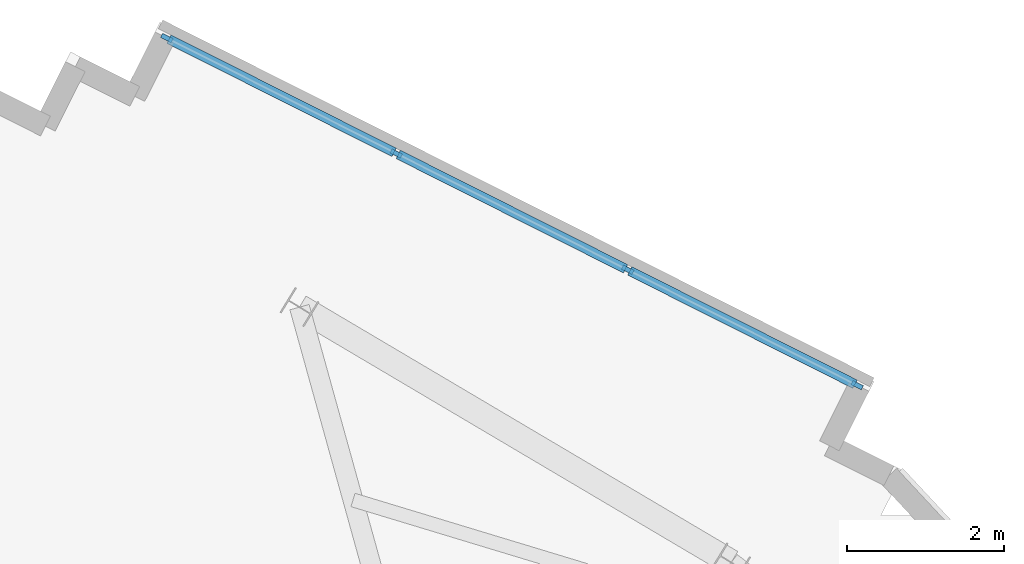
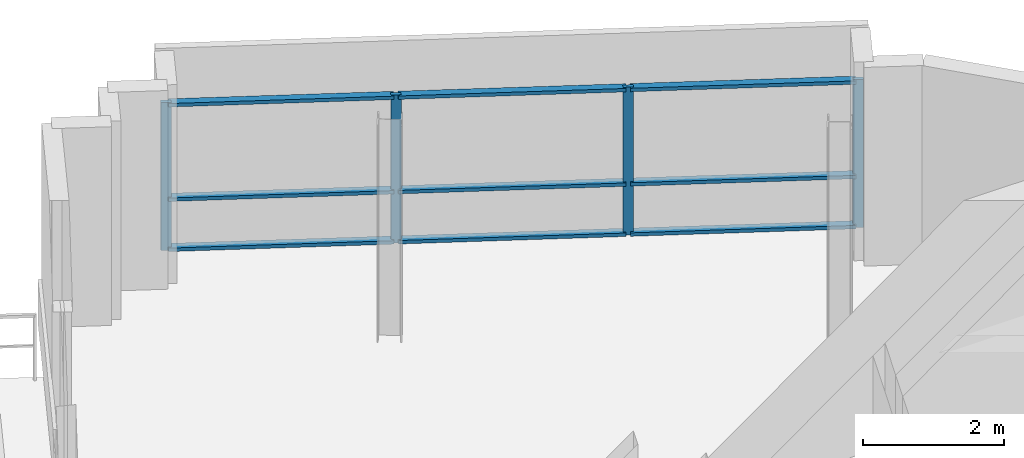
# One storey, part 4 of 11: 13 members, 1 element without a shape of its own.
"""IFC4 building model written with IfcOpenShell, lengths in metres."""

import ifcopenshell
import ifcopenshell.guid

model = None  # the IFC model being written
_history = None  # IfcOwnerHistory: only IFC2X3 demands one
_inside = {}  # id of a spatial element -> (the spatial element, [elements in it])
_under = {}  # id of a project, library or spatial element -> (it, [spatial elements below it])
_declared = {}  # id of a project -> (the project, [libraries it declares])
_typed = {}  # id of a type object -> (the type object, [elements of that type])
_made_of = {}  # id of a material, layer set ... -> (it, [elements and type objects made of it])


def new_model(schema):
    """Start an empty IFC model of exactly this schema.

    Asked for "IFC4X3", IfcOpenShell would pick the latest addendum, in which some entities
    have other attributes; the version numbers below select the first issue.
    IFC2X3 requires an IfcOwnerHistory on every rooted entity: one is made here for all.
    """
    global model, _history
    if schema == "IFC4X3":
        model = ifcopenshell.file(schema_version=(4, 3, 0, 0))
    else:
        model = ifcopenshell.file(schema=schema)
    _inside.clear()
    _under.clear()
    _declared.clear()
    _typed.clear()
    _made_of.clear()
    _history = None
    if model.schema == "IFC2X3":
        org = make("IfcOrganization", Name="unknown")
        user = make(
            "IfcPersonAndOrganization",
            ThePerson=make("IfcPerson", FamilyName="unknown"),
            TheOrganization=org,
        )
        app = make(
            "IfcApplication",
            ApplicationDeveloper=org,
            Version="unknown",
            ApplicationFullName="unknown",
            ApplicationIdentifier="unknown",
        )
        _history = make(
            "IfcOwnerHistory",
            OwningUser=user,
            OwningApplication=app,
            ChangeAction="ADDED",
            CreationDate=0,
        )
    return model


def make(cls, **values):
    """One entity of the class cls with the attributes given. An attribute that is None is left unset."""
    return model.create_entity(
        cls, **{name: value for name, value in values.items() if value is not None}
    )


def rooted(cls, **values):
    """An entity with a GlobalId (a new one), such as an element, a storey or a relation."""
    return make(cls, GlobalId=ifcopenshell.guid.new(), OwnerHistory=_history, **values)


def si_unit(unit_type, name, prefix=None):
    """IfcSIUnit, for example si_unit("LENGTHUNIT", "METRE", prefix="MILLI")."""
    return make("IfcSIUnit", UnitType=unit_type, Prefix=prefix, Name=name)


def assignment(units):
    """IfcUnitAssignment: the units of a project."""
    return None if units is None else make("IfcUnitAssignment", Units=units)


def point(xyz):
    """IfcCartesianPoint."""
    return None if xyz is None else make("IfcCartesianPoint", Coordinates=xyz)


def direction(xyz):
    """IfcDirection."""
    return None if xyz is None else make("IfcDirection", DirectionRatios=xyz)


def frame(location, z_axis=None, x_axis=None):
    """IfcAxis2Placement3D, a coordinate frame: its origin and axes. An axis left out is left unset."""
    return make(
        "IfcAxis2Placement3D",
        Location=point(location),
        Axis=direction(z_axis),
        RefDirection=direction(x_axis),
    )


def frame_2d(location, x_axis=None):
    """IfcAxis2Placement2D, a coordinate frame in the plane: its origin and x axis."""
    return make(
        "IfcAxis2Placement2D", Location=point(location), RefDirection=direction(x_axis)
    )


def origin():
    """The frame at (0, 0, 0) with its axes left unset."""
    return frame((0.0, 0.0, 0.0))


def origin_2d():
    """The frame at (0, 0) in the plane with its x axis left unset."""
    return frame_2d((0.0, 0.0))


def place(relative_to, where):
    """IfcLocalPlacement: puts the frame where relative to a parent placement (None: the world)."""
    return make(
        "IfcLocalPlacement", PlacementRelTo=relative_to, RelativePlacement=where
    )


def context(
    kind, dimensions, precision=None, world=None, true_north=None, identifier=None
):
    """IfcGeometricRepresentationContext, for example the 3D "Model" context."""
    return make(
        "IfcGeometricRepresentationContext",
        ContextIdentifier=identifier,
        ContextType=kind,
        CoordinateSpaceDimension=dimensions,
        Precision=precision,
        WorldCoordinateSystem=world,
        TrueNorth=true_north,
    )


def subcontext(parent, identifier, kind, view, scale=None):
    """IfcGeometricRepresentationSubContext, for example "Body" below "Model"."""
    return make(
        "IfcGeometricRepresentationSubContext",
        ContextIdentifier=identifier,
        ContextType=kind,
        ParentContext=parent,
        TargetScale=scale,
        TargetView=view,
    )


def project(units=None, contexts=None):
    """IfcProject with its units and contexts."""
    return rooted(
        "IfcProject",
        Name="project",
        RepresentationContexts=contexts,
        UnitsInContext=assignment(units),
    )


def spatial(cls, under=None, at=None, **own):
    """A site, building, storey or space (cls), placed at a placement, below another one or the project."""
    s = rooted(cls, ObjectPlacement=at, **own)
    if under is not None:
        _under.setdefault(under.id(), (under, []))[1].append(s)
    return s


def profile(cls, at=None, kind="AREA", **sizes):
    """A parametric profile (cls). Its sizes go by their IFC names, for example OverallWidth=200.0."""
    return make(cls, ProfileType=kind, Position=at, **sizes)


def rectangle(**sizes):
    """IfcRectangleProfileDef."""
    return profile("IfcRectangleProfileDef", **sizes)


def extrude(swept, where, along, depth):
    """IfcExtrudedAreaSolid: the profile swept, set in the frame where, extruded along a direction by depth."""
    return make(
        "IfcExtrudedAreaSolid",
        SweptArea=swept,
        Position=where,
        ExtrudedDirection=direction(along),
        Depth=depth,
    )


def shape(context_of_items, identifier, shape_type, items):
    """IfcShapeRepresentation: the items that make up one representation, for example the "Body"."""
    return make(
        "IfcShapeRepresentation",
        ContextOfItems=context_of_items,
        RepresentationIdentifier=identifier,
        RepresentationType=shape_type,
        Items=items,
    )


def source(mapping_origin, context_of_items, identifier, shape_type, items):
    """IfcRepresentationMap: a shape defined once, which mapped items show again and again."""
    return make(
        "IfcRepresentationMap",
        MappingOrigin=mapping_origin,
        MappedRepresentation=shape(context_of_items, identifier, shape_type, items),
    )


def transform(
    local_origin,
    x_axis=None,
    y_axis=None,
    z_axis=None,
    scale=None,
    scale2=None,
    scale3=None,
    uniform=True,
):
    """IfcCartesianTransformationOperator3D, or its non-uniform kind. x_axis, y_axis, z_axis: its Axis1, 2, 3."""
    if uniform:
        return make(
            "IfcCartesianTransformationOperator3D",
            Axis1=direction(x_axis),
            Axis2=direction(y_axis),
            LocalOrigin=point(local_origin),
            Scale=scale,
            Axis3=direction(z_axis),
        )
    return make(
        "IfcCartesianTransformationOperator3DnonUniform",
        Axis1=direction(x_axis),
        Axis2=direction(y_axis),
        LocalOrigin=point(local_origin),
        Scale=scale,
        Axis3=direction(z_axis),
        Scale2=scale2,
        Scale3=scale3,
    )


def mapped(mapping_source, mapping_target):
    """IfcMappedItem: shows the shape of a source again, moved by a transform."""
    return make(
        "IfcMappedItem", MappingSource=mapping_source, MappingTarget=mapping_target
    )


def material(Name=None, Category=None):
    """IfcMaterial."""
    return make("IfcMaterial", Name=Name, Category=Category)


def layer(
    of_material, thickness, ventilated=None, Name=None, Category=None, Priority=None
):
    """IfcMaterialLayer: one layer of a wall or slab, of a material (None: an air gap)."""
    return make(
        "IfcMaterialLayer",
        Material=of_material,
        LayerThickness=thickness,
        IsVentilated=ventilated,
        Name=Name,
        Category=Category,
        Priority=Priority,
    )


def layer_set(layers, Name=None):
    """IfcMaterialLayerSet."""
    return make("IfcMaterialLayerSet", MaterialLayers=layers, LayerSetName=Name)


def material_profile(
    of_material, cross_section, Name=None, Category=None, Priority=None
):
    """IfcMaterialProfile: a cross section and its material."""
    return make(
        "IfcMaterialProfile",
        Name=Name,
        Material=of_material,
        Profile=cross_section,
        Priority=Priority,
        Category=Category,
    )


def profile_set(profiles, Name=None, composite=None):
    """IfcMaterialProfileSet."""
    return make(
        "IfcMaterialProfileSet",
        Name=Name,
        MaterialProfiles=profiles,
        CompositeProfile=composite,
    )


def made_of(thing, what):
    """Note that an element or type object is made of a material, layer set ...; save() writes the relation."""
    if what is not None:
        _made_of.setdefault(what.id(), (what, []))[1].append(thing)
    return thing


def type_object(cls, material=None, **own):
    """A type object (cls), such as IfcWallType, which elements share."""
    return made_of(rooted(cls, **own), material)


def element(
    cls,
    number,
    at=None,
    inside=None,
    cuts=None,
    type_object=None,
    material=None,
    context=None,
    identifier="Body",
    shape_type=None,
    held_by="IfcProductDefinitionShape",
    body=None,
    shapes=None,
    **own,
):
    """One element of the class cls, such as IfcWall. Its Tag is "e" and its number.

    at: its placement. inside: the storey or other place that contains it. cuts: it is an
    opening in that element (IfcRelVoidsElement). A single representation is given by context,
    identifier, shape_type and body (its items); several are given by shapes. held_by: the class
    of the entity that holds the representations. save() writes the other relations.
    """
    e = rooted(cls, Tag="e%d" % number, ObjectPlacement=at, **own)
    if body is not None:
        shapes = [shape(context, identifier, shape_type, body)]
    if shapes is not None:
        e.Representation = make(held_by, Representations=shapes)
    if inside is not None:
        _inside.setdefault(inside.id(), (inside, []))[1].append(e)
    if cuts is not None:
        rooted(
            "IfcRelVoidsElement", RelatingBuildingElement=cuts, RelatedOpeningElement=e
        )
    if type_object is not None:
        _typed.setdefault(type_object.id(), (type_object, []))[1].append(e)
    return made_of(e, material)


def aggregate(whole, parts):
    """IfcRelAggregates: a whole, such as a stair, and the parts it consists of."""
    return rooted("IfcRelAggregates", RelatingObject=whole, RelatedObjects=parts)


def save(model, path):
    """Write the relations noted so far, then the file.

    IfcRelAggregates (storeys below a building ...), IfcRelContainedInSpatialStructure (elements
    in a storey), IfcRelDefinesByType, IfcRelAssociatesMaterial and IfcRelDeclares: one each for
    every whole, place, type object, material and project.
    """
    for whole, parts in _under.values():
        aggregate(whole, parts)
    for where, things in _inside.values():
        rooted(
            "IfcRelContainedInSpatialStructure",
            RelatedElements=things,
            RelatingStructure=where,
        )
    for kind, things in _typed.values():
        rooted("IfcRelDefinesByType", RelatedObjects=things, RelatingType=kind)
    for what, things in _made_of.values():
        rooted("IfcRelAssociatesMaterial", RelatedObjects=things, RelatingMaterial=what)
    for by, libraries in _declared.values():
        rooted("IfcRelDeclares", RelatingContext=by, RelatedDefinitions=libraries)
    model.write(path)


model = new_model("IFC4")

# Units and contexts
model_context = context("Model", 3, precision=1e-05, world=origin(), true_north=direction((0.0, 1.0)))
body_context = subcontext(model_context, "Body", "Model", "MODEL_VIEW")
ifc_project = project(units=[si_unit("LENGTHUNIT", "METRE"), si_unit("AREAUNIT", "SQUARE_METRE"), si_unit("VOLUMEUNIT", "CUBIC_METRE"), si_unit("PLANEANGLEUNIT", "RADIAN"), si_unit("MASSUNIT", "GRAM", prefix="KILO")], contexts=[model_context])

# Site, building, storey
site_placement = place(None, origin())
site = spatial("IfcSite", under=ifc_project, at=site_placement, CompositionType="ELEMENT")
building_placement = place(site_placement, origin())
building = spatial("IfcBuilding", under=site, at=building_placement, Name="Zahravan Cultural Tower", CompositionType="ELEMENT")
storey_placement = place(building_placement, frame((0.0, 0.0, 357.300048828125)))
storey = spatial("IfcBuildingStorey", under=building, at=storey_placement, Name="L87", CompositionType="ELEMENT", Elevation=357.300048828125)

# Curtain wall, members
ifc_material = material(Name="Anodised bronze-aluminium mullion", Category="aluminium")
ifc_layer = layer(ifc_material, 0.14990234375)
ifc_layer_set = layer_set([ifc_layer], Name="Anodised bronze-aluminium mullion")
curtain_wall_type = type_object("IfcCurtainWallType", Name="CW-SYS-6", PredefinedType="USERDEFINED", material=ifc_layer_set)
curtain_wall_placement = place(storey_placement, origin())
curtain_wall = element("IfcCurtainWall", 1, at=curtain_wall_placement, inside=storey, type_object=curtain_wall_type, Name="L87 Recessed Curtain Wall CW-6.1", ObjectType="OBSERVATORY LANTERN", PredefinedType="USERDEFINED")
ifc_material_profile_1 = material_profile(ifc_material, rectangle(XDim=0.1201171875, YDim=0.06005859375, at=origin_2d()), Name="AL-T60X120")
ifc_profile_set_1 = profile_set([ifc_material_profile_1], Name="Anodised bronze-aluminium mullion")
member_type_1 = type_object("IfcMemberType", Name="CWT-CW-6", PredefinedType="USERDEFINED", material=ifc_profile_set_1)
shared_shape_1 = source(origin(), body_context, "Body", "SweptSolid", [
    extrude(rectangle(XDim=0.1201171875, YDim=0.06005859375, at=origin_2d()), origin(), (0.0, 0.0, 1.0), 3.216796875),
])
member_1_placement = place(storey_placement, frame((39.80908203125, 45.478759765625, 0.030029296875), z_axis=(0.893377366752, -0.449307111645, 0.0), x_axis=(0.449307111645, 0.893377366752, 0.0)))
member_1 = element("IfcMember", 2, at=member_1_placement, type_object=member_type_1, Name="CW-6 transom 1.1", ObjectType="TRANSOM", PredefinedType="USERDEFINED", context=body_context, shape_type="MappedRepresentation", body=[
    mapped(shared_shape_1, transform((0.0, 0.0, 0.0), x_axis=(1.0, 0.0, 0.0), y_axis=(0.0, 1.0, 0.0), z_axis=(0.0, 0.0, 1.0), scale=1.0)),
])
member_2_placement = place(storey_placement, frame((39.80908203125, 45.478759765625, 0.89990234375), z_axis=(0.893377366752, -0.449307111645, 0.0), x_axis=(0.449307111645, 0.893377366752, 0.0)))
member_2 = element("IfcMember", 3, at=member_2_placement, type_object=member_type_1, Name="CW-6 transom 1.2", ObjectType="TRANSOM", PredefinedType="USERDEFINED", context=body_context, shape_type="MappedRepresentation", body=[
    mapped(shared_shape_1, transform((0.0, 0.0, 0.0), x_axis=(1.0, 0.0, 0.0), y_axis=(0.0, 1.0, 0.0), z_axis=(0.0, 0.0, 1.0), scale=1.0)),
])
member_3_placement = place(storey_placement, frame((39.80908203125, 45.478759765625, 2.5400390625), z_axis=(0.893377366752, -0.449307111645, 0.0), x_axis=(0.449307111645, 0.893377366752, 0.0)))
member_3 = element("IfcMember", 4, at=member_3_placement, type_object=member_type_1, Name="CW-6 transom 1.3", ObjectType="TRANSOM", PredefinedType="USERDEFINED", context=body_context, shape_type="MappedRepresentation", body=[
    mapped(shared_shape_1, transform((0.0, 0.0, 0.0), x_axis=(1.0, 0.0, 0.0), y_axis=(0.0, 1.0, 0.0), z_axis=(0.0, 0.0, 1.0), scale=1.0)),
])
member_4_placement = place(storey_placement, frame((45.6904296875, 42.520751953125, 0.030029296875), z_axis=(0.893377366752, -0.449307111645, 0.0), x_axis=(0.449307111645, 0.893377366752, 0.0)))
member_4 = element("IfcMember", 5, at=member_4_placement, type_object=member_type_1, Name="CW-6 transom 3.1", ObjectType="TRANSOM", PredefinedType="USERDEFINED", context=body_context, shape_type="MappedRepresentation", body=[
    mapped(shared_shape_1, transform((0.0, 0.0, 0.0), x_axis=(1.0, 0.0, 0.0), y_axis=(0.0, 1.0, 0.0), z_axis=(0.0, 0.0, 1.0), scale=1.0)),
])
member_5_placement = place(storey_placement, frame((45.6904296875, 42.520751953125, 0.89990234375), z_axis=(0.893377366752, -0.449307111645, 0.0), x_axis=(0.449307111645, 0.893377366752, 0.0)))
member_5 = element("IfcMember", 6, at=member_5_placement, type_object=member_type_1, Name="CW-6 transom 3.2", ObjectType="TRANSOM", PredefinedType="USERDEFINED", context=body_context, shape_type="MappedRepresentation", body=[
    mapped(shared_shape_1, transform((0.0, 0.0, 0.0), x_axis=(1.0, 0.0, 0.0), y_axis=(0.0, 1.0, 0.0), z_axis=(0.0, 0.0, 1.0), scale=1.0)),
])
member_6_placement = place(storey_placement, frame((45.6904296875, 42.520751953125, 2.5400390625), z_axis=(0.893377366752, -0.449307111645, 0.0), x_axis=(0.449307111645, 0.893377366752, 0.0)))
member_6 = element("IfcMember", 7, at=member_6_placement, type_object=member_type_1, Name="CW-6 transom 3.3", ObjectType="TRANSOM", PredefinedType="USERDEFINED", context=body_context, shape_type="MappedRepresentation", body=[
    mapped(shared_shape_1, transform((0.0, 0.0, 0.0), x_axis=(1.0, 0.0, 0.0), y_axis=(0.0, 1.0, 0.0), z_axis=(0.0, 0.0, 1.0), scale=1.0)),
])
shared_shape_2 = source(origin(), body_context, "Body", "SweptSolid", [
    extrude(rectangle(XDim=0.1201171875, YDim=0.06005859375, at=origin_2d()), origin(), (0.0, 0.0, 1.0), 3.24658203125),
])
member_7_placement = place(storey_placement, frame((42.736328125, 44.006591796875, 0.030029296875), z_axis=(0.8933719174, -0.449317946672, 0.0), x_axis=(0.449317946672, 0.8933719174, 0.0)))
member_7 = element("IfcMember", 8, at=member_7_placement, type_object=member_type_1, Name="CW-6 transom 2.1", ObjectType="TRANSOM", PredefinedType="USERDEFINED", context=body_context, shape_type="MappedRepresentation", body=[
    mapped(shared_shape_2, transform((0.0, 0.0, 0.0), x_axis=(1.0, 0.0, 0.0), y_axis=(0.0, 1.0, 0.0), z_axis=(0.0, 0.0, 1.0), scale=1.0)),
])
member_8_placement = place(storey_placement, frame((42.736328125, 44.006591796875, 0.89990234375), z_axis=(0.8933719174, -0.449317946672, 0.0), x_axis=(0.449317946672, 0.8933719174, 0.0)))
member_8 = element("IfcMember", 9, at=member_8_placement, type_object=member_type_1, Name="CW-6 transom 2.2", ObjectType="TRANSOM", PredefinedType="USERDEFINED", context=body_context, shape_type="MappedRepresentation", body=[
    mapped(shared_shape_2, transform((0.0, 0.0, 0.0), x_axis=(1.0, 0.0, 0.0), y_axis=(0.0, 1.0, 0.0), z_axis=(0.0, 0.0, 1.0), scale=1.0)),
])
member_9_placement = place(storey_placement, frame((42.736328125, 44.006591796875, 2.5400390625), z_axis=(0.8933719174, -0.449317946672, 0.0), x_axis=(0.449317946672, 0.8933719174, 0.0)))
member_9 = element("IfcMember", 10, at=member_9_placement, type_object=member_type_1, Name="CW-6 transom 2.3", ObjectType="TRANSOM", PredefinedType="USERDEFINED", context=body_context, shape_type="MappedRepresentation", body=[
    mapped(shared_shape_2, transform((0.0, 0.0, 0.0), x_axis=(1.0, 0.0, 0.0), y_axis=(0.0, 1.0, 0.0), z_axis=(0.0, 0.0, 1.0), scale=1.0)),
])
ifc_material_profile_2 = material_profile(ifc_material, rectangle(XDim=0.06005859375, YDim=0.14990234375, at=origin_2d()), Name="AL-M60X150")
ifc_profile_set_2 = profile_set([ifc_material_profile_2], Name="Anodised bronze-aluminium mullion")
member_type_2 = type_object("IfcMemberType", Name="CWM-CW-6", PredefinedType="MULLION", material=ifc_profile_set_2)
shared_shape_3 = source(origin(), body_context, "Body", "SweptSolid", [
    extrude(rectangle(XDim=0.06005859375, YDim=0.14990234375, at=origin_2d()), origin(), (0.0, 0.0, 1.0), 2.570068359375),
])
member_10_placement = place(storey_placement, frame((39.7822265625, 45.492431640625, 0.0), z_axis=(0.0, 0.0, 1.0), x_axis=(0.449317208482, 0.893372288669, 0.0)))
member_10 = element("IfcMember", 11, at=member_10_placement, type_object=member_type_2, Name="CW-6 mullion 1", PredefinedType="MULLION", context=body_context, shape_type="MappedRepresentation", body=[
    mapped(shared_shape_3, transform((0.0, 0.0, 0.0), x_axis=(1.0, 0.0, 0.0), y_axis=(0.0, 1.0, 0.0), z_axis=(0.0, 0.0, 1.0), scale=1.0)),
])
member_11_placement = place(storey_placement, frame((42.70947265625, 44.02001953125, 0.0), z_axis=(0.0, 0.0, 1.0), x_axis=(0.449317208482, 0.893372288669, 0.0)))
member_11 = element("IfcMember", 12, at=member_11_placement, type_object=member_type_2, Name="CW-6 mullion 2", PredefinedType="MULLION", context=body_context, shape_type="MappedRepresentation", body=[
    mapped(shared_shape_3, transform((0.0, 0.0, 0.0), x_axis=(1.0, 0.0, 0.0), y_axis=(0.0, 1.0, 0.0), z_axis=(0.0, 0.0, 1.0), scale=1.0)),
])
member_12_placement = place(storey_placement, frame((45.66357421875, 42.534423828125, 0.0), z_axis=(0.0, 0.0, 1.0), x_axis=(0.449317208482, 0.893372288669, 0.0)))
member_12 = element("IfcMember", 13, at=member_12_placement, type_object=member_type_2, Name="CW-6 mullion 3", PredefinedType="MULLION", context=body_context, shape_type="MappedRepresentation", body=[
    mapped(shared_shape_3, transform((0.0, 0.0, 0.0), x_axis=(1.0, 0.0, 0.0), y_axis=(0.0, 1.0, 0.0), z_axis=(0.0, 0.0, 1.0), scale=1.0)),
])
member_13_placement = place(storey_placement, frame((48.5908203125, 41.06201171875, 0.0), z_axis=(0.0, 0.0, 1.0), x_axis=(0.449317208482, 0.893372288669, 0.0)))
member_13 = element("IfcMember", 14, at=member_13_placement, type_object=member_type_2, Name="CW-6 mullion 4", PredefinedType="MULLION", context=body_context, shape_type="MappedRepresentation", body=[
    mapped(shared_shape_3, transform((0.0, 0.0, 0.0), x_axis=(1.0, 0.0, 0.0), y_axis=(0.0, 1.0, 0.0), z_axis=(0.0, 0.0, 1.0), scale=1.0)),
])
aggregate(curtain_wall, [member_10, member_11, member_12, member_13, member_1, member_2, member_3, member_7, member_8, member_9, member_4, member_5, member_6])

save(model, "model.ifc")
